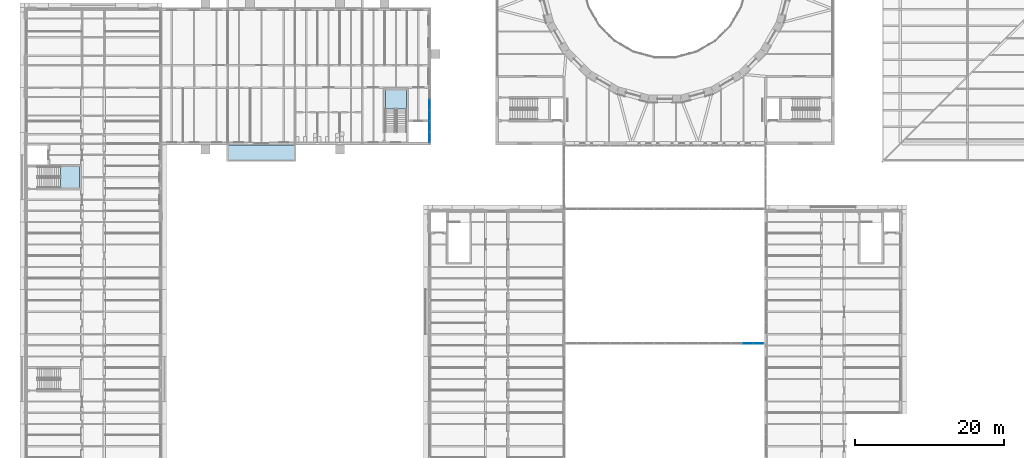
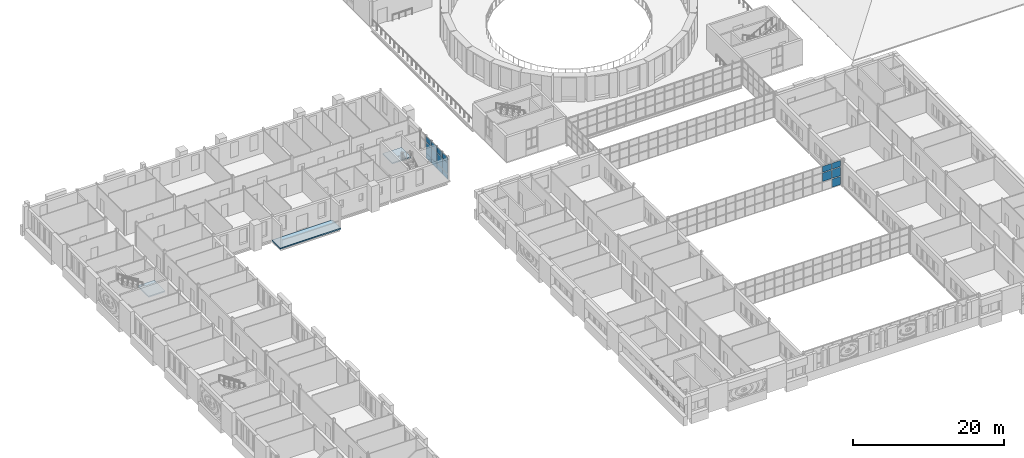
# One storey, part 91 of 154: 17 plates, 3 slabs, 4 elements without a shape of their own.
"""IFC4 building model written with IfcOpenShell, lengths in metres."""

import ifcopenshell
import ifcopenshell.guid

model = None  # the IFC model being written
_history = None  # IfcOwnerHistory: only IFC2X3 demands one
_inside = {}  # id of a spatial element -> (the spatial element, [elements in it])
_under = {}  # id of a project, library or spatial element -> (it, [spatial elements below it])
_declared = {}  # id of a project -> (the project, [libraries it declares])
_typed = {}  # id of a type object -> (the type object, [elements of that type])
_made_of = {}  # id of a material, layer set ... -> (it, [elements and type objects made of it])


def new_model(schema):
    """Start an empty IFC model of exactly this schema.

    Asked for "IFC4X3", IfcOpenShell would pick the latest addendum, in which some entities
    have other attributes; the version numbers below select the first issue.
    IFC2X3 requires an IfcOwnerHistory on every rooted entity: one is made here for all.
    """
    global model, _history
    if schema == "IFC4X3":
        model = ifcopenshell.file(schema_version=(4, 3, 0, 0))
    else:
        model = ifcopenshell.file(schema=schema)
    _inside.clear()
    _under.clear()
    _declared.clear()
    _typed.clear()
    _made_of.clear()
    _history = None
    if model.schema == "IFC2X3":
        org = make("IfcOrganization", Name="unknown")
        user = make(
            "IfcPersonAndOrganization",
            ThePerson=make("IfcPerson", FamilyName="unknown"),
            TheOrganization=org,
        )
        app = make(
            "IfcApplication",
            ApplicationDeveloper=org,
            Version="unknown",
            ApplicationFullName="unknown",
            ApplicationIdentifier="unknown",
        )
        _history = make(
            "IfcOwnerHistory",
            OwningUser=user,
            OwningApplication=app,
            ChangeAction="ADDED",
            CreationDate=0,
        )
    return model


def make(cls, **values):
    """One entity of the class cls with the attributes given. An attribute that is None is left unset."""
    return model.create_entity(
        cls, **{name: value for name, value in values.items() if value is not None}
    )


def rooted(cls, **values):
    """An entity with a GlobalId (a new one), such as an element, a storey or a relation."""
    return make(cls, GlobalId=ifcopenshell.guid.new(), OwnerHistory=_history, **values)


def si_unit(unit_type, name, prefix=None):
    """IfcSIUnit, for example si_unit("LENGTHUNIT", "METRE", prefix="MILLI")."""
    return make("IfcSIUnit", UnitType=unit_type, Prefix=prefix, Name=name)


def assignment(units):
    """IfcUnitAssignment: the units of a project."""
    return None if units is None else make("IfcUnitAssignment", Units=units)


def point(xyz):
    """IfcCartesianPoint."""
    return None if xyz is None else make("IfcCartesianPoint", Coordinates=xyz)


def direction(xyz):
    """IfcDirection."""
    return None if xyz is None else make("IfcDirection", DirectionRatios=xyz)


def frame(location, z_axis=None, x_axis=None):
    """IfcAxis2Placement3D, a coordinate frame: its origin and axes. An axis left out is left unset."""
    return make(
        "IfcAxis2Placement3D",
        Location=point(location),
        Axis=direction(z_axis),
        RefDirection=direction(x_axis),
    )


def frame_2d(location, x_axis=None):
    """IfcAxis2Placement2D, a coordinate frame in the plane: its origin and x axis."""
    return make(
        "IfcAxis2Placement2D", Location=point(location), RefDirection=direction(x_axis)
    )


def origin():
    """The frame at (0, 0, 0) with its axes left unset."""
    return frame((0.0, 0.0, 0.0))


def origin_2d():
    """The frame at (0, 0) in the plane with its x axis left unset."""
    return frame_2d((0.0, 0.0))


def place(relative_to, where):
    """IfcLocalPlacement: puts the frame where relative to a parent placement (None: the world)."""
    return make(
        "IfcLocalPlacement", PlacementRelTo=relative_to, RelativePlacement=where
    )


def context(
    kind, dimensions, precision=None, world=None, true_north=None, identifier=None
):
    """IfcGeometricRepresentationContext, for example the 3D "Model" context."""
    return make(
        "IfcGeometricRepresentationContext",
        ContextIdentifier=identifier,
        ContextType=kind,
        CoordinateSpaceDimension=dimensions,
        Precision=precision,
        WorldCoordinateSystem=world,
        TrueNorth=true_north,
    )


def subcontext(parent, identifier, kind, view, scale=None):
    """IfcGeometricRepresentationSubContext, for example "Body" below "Model"."""
    return make(
        "IfcGeometricRepresentationSubContext",
        ContextIdentifier=identifier,
        ContextType=kind,
        ParentContext=parent,
        TargetScale=scale,
        TargetView=view,
    )


def project(units=None, contexts=None):
    """IfcProject with its units and contexts."""
    return rooted(
        "IfcProject",
        Name="project",
        RepresentationContexts=contexts,
        UnitsInContext=assignment(units),
    )


def spatial(cls, under=None, at=None, **own):
    """A site, building, storey or space (cls), placed at a placement, below another one or the project."""
    s = rooted(cls, ObjectPlacement=at, **own)
    if under is not None:
        _under.setdefault(under.id(), (under, []))[1].append(s)
    return s


def polyline(points):
    """IfcPolyline through the points."""
    return make("IfcPolyline", Points=[point(p) for p in points])


def profile(cls, at=None, kind="AREA", **sizes):
    """A parametric profile (cls). Its sizes go by their IFC names, for example OverallWidth=200.0."""
    return make(cls, ProfileType=kind, Position=at, **sizes)


def rectangle(**sizes):
    """IfcRectangleProfileDef."""
    return profile("IfcRectangleProfileDef", **sizes)


def outline(outer, holes=None, kind="AREA"):
    """IfcArbitraryClosedProfileDef: a profile drawn as a closed curve; with holes, ...WithVoids."""
    if holes is None:
        return make("IfcArbitraryClosedProfileDef", ProfileType=kind, OuterCurve=outer)
    return make(
        "IfcArbitraryProfileDefWithVoids",
        ProfileType=kind,
        OuterCurve=outer,
        InnerCurves=holes,
    )


def extrude(swept, where, along, depth):
    """IfcExtrudedAreaSolid: the profile swept, set in the frame where, extruded along a direction by depth."""
    return make(
        "IfcExtrudedAreaSolid",
        SweptArea=swept,
        Position=where,
        ExtrudedDirection=direction(along),
        Depth=depth,
    )


def shape(context_of_items, identifier, shape_type, items):
    """IfcShapeRepresentation: the items that make up one representation, for example the "Body"."""
    return make(
        "IfcShapeRepresentation",
        ContextOfItems=context_of_items,
        RepresentationIdentifier=identifier,
        RepresentationType=shape_type,
        Items=items,
    )


def material(Name=None, Category=None):
    """IfcMaterial."""
    return make("IfcMaterial", Name=Name, Category=Category)


def layer(
    of_material, thickness, ventilated=None, Name=None, Category=None, Priority=None
):
    """IfcMaterialLayer: one layer of a wall or slab, of a material (None: an air gap)."""
    return make(
        "IfcMaterialLayer",
        Material=of_material,
        LayerThickness=thickness,
        IsVentilated=ventilated,
        Name=Name,
        Category=Category,
        Priority=Priority,
    )


def layer_set(layers, Name=None):
    """IfcMaterialLayerSet."""
    return make("IfcMaterialLayerSet", MaterialLayers=layers, LayerSetName=Name)


def made_of(thing, what):
    """Note that an element or type object is made of a material, layer set ...; save() writes the relation."""
    if what is not None:
        _made_of.setdefault(what.id(), (what, []))[1].append(thing)
    return thing


def type_object(cls, material=None, **own):
    """A type object (cls), such as IfcWallType, which elements share."""
    return made_of(rooted(cls, **own), material)


def element(
    cls,
    number,
    at=None,
    inside=None,
    cuts=None,
    type_object=None,
    material=None,
    context=None,
    identifier="Body",
    shape_type=None,
    held_by="IfcProductDefinitionShape",
    body=None,
    shapes=None,
    **own,
):
    """One element of the class cls, such as IfcWall. Its Tag is "e" and its number.

    at: its placement. inside: the storey or other place that contains it. cuts: it is an
    opening in that element (IfcRelVoidsElement). A single representation is given by context,
    identifier, shape_type and body (its items); several are given by shapes. held_by: the class
    of the entity that holds the representations. save() writes the other relations.
    """
    e = rooted(cls, Tag="e%d" % number, ObjectPlacement=at, **own)
    if body is not None:
        shapes = [shape(context, identifier, shape_type, body)]
    if shapes is not None:
        e.Representation = make(held_by, Representations=shapes)
    if inside is not None:
        _inside.setdefault(inside.id(), (inside, []))[1].append(e)
    if cuts is not None:
        rooted(
            "IfcRelVoidsElement", RelatingBuildingElement=cuts, RelatedOpeningElement=e
        )
    if type_object is not None:
        _typed.setdefault(type_object.id(), (type_object, []))[1].append(e)
    return made_of(e, material)


def aggregate(whole, parts):
    """IfcRelAggregates: a whole, such as a stair, and the parts it consists of."""
    return rooted("IfcRelAggregates", RelatingObject=whole, RelatedObjects=parts)


def save(model, path):
    """Write the relations noted so far, then the file.

    IfcRelAggregates (storeys below a building ...), IfcRelContainedInSpatialStructure (elements
    in a storey), IfcRelDefinesByType, IfcRelAssociatesMaterial and IfcRelDeclares: one each for
    every whole, place, type object, material and project.
    """
    for whole, parts in _under.values():
        aggregate(whole, parts)
    for where, things in _inside.values():
        rooted(
            "IfcRelContainedInSpatialStructure",
            RelatedElements=things,
            RelatingStructure=where,
        )
    for kind, things in _typed.values():
        rooted("IfcRelDefinesByType", RelatedObjects=things, RelatingType=kind)
    for what, things in _made_of.values():
        rooted("IfcRelAssociatesMaterial", RelatedObjects=things, RelatingMaterial=what)
    for by, libraries in _declared.values():
        rooted("IfcRelDeclares", RelatingContext=by, RelatedDefinitions=libraries)
    model.write(path)


model = new_model("IFC4")

# Units and contexts
model_context = context("Model", 3, precision=1e-05, world=origin(), true_north=direction((0.0, 1.0)))
body_context = subcontext(model_context, "Body", "Model", "MODEL_VIEW")
ifc_project = project(units=[si_unit("LENGTHUNIT", "METRE"), si_unit("AREAUNIT", "SQUARE_METRE"), si_unit("VOLUMEUNIT", "CUBIC_METRE"), si_unit("PLANEANGLEUNIT", "RADIAN"), si_unit("MASSUNIT", "GRAM", prefix="KILO")], contexts=[model_context])

# Site, building, storey
site_placement = place(None, origin())
site = spatial("IfcSite", under=ifc_project, at=site_placement, CompositionType="ELEMENT")
building_placement = place(site_placement, origin())
building = spatial("IfcBuilding", under=site, at=building_placement, Name="Golden Quay Civic Hall", CompositionType="ELEMENT")
storey_placement = place(building_placement, frame((0.0, 0.0, 14.39990234375)))
storey = spatial("IfcBuildingStorey", under=building, at=storey_placement, Name="L03", CompositionType="ELEMENT", Elevation=14.39990234375)

# Stair, slab
ifc_material_1 = material(Name="Concrete C35/45", Category="concrete")
stair_type = type_object("IfcStairType", Name="Concrete stair 1350 wide 24 risers of 175.0", PredefinedType="HALF_TURN_STAIR", material=ifc_material_1)
stair_1_placement = place(storey_placement, origin())
stair_1 = element("IfcStair", 1, at=stair_1_placement, inside=storey, type_object=stair_type, Name="L03 Stair WO-N", PredefinedType="HALF_TURN_STAIR")
ifc_material_2 = material(Name="Concrete C35/45", Category="concrete")
ifc_layer_1 = layer(ifc_material_2, 0.199951171875)
ifc_layer_set_1 = layer_set([ifc_layer_1], Name="Concrete stair landing 200, Concrete C35/45")
slab_type_1 = type_object("IfcSlabType", Name="Concrete stair landing 200", PredefinedType="LANDING", material=ifc_layer_set_1)
slab_1_placement = place(storey_placement, frame((0.0, 0.0, 1.900146484375)))
slab_1 = element("IfcSlab", 2, at=slab_1_placement, type_object=slab_type_1, Name="WO-N landing 1", PredefinedType="LANDING", context=body_context, shape_type="SweptSolid", body=[
    extrude(outline(polyline([(4.6298828125, 57.074951171875), (7.175048828125, 57.074951171875), (7.175048828125, 59.925048828125), (4.6298828125, 59.925048828125), (4.6298828125, 57.074951171875)])), origin(), (0.0, 0.0, 1.0), 0.199951171875),
])
aggregate(stair_1, [slab_1])

stair_2_placement = place(storey_placement, origin())
stair_2 = element("IfcStair", 3, at=stair_2_placement, inside=storey, type_object=stair_type, Name="L03 Stair NW-E", PredefinedType="HALF_TURN_STAIR")
slab_2_placement = place(storey_placement, frame((0.0, 0.0, 1.900146484375)))
slab_2 = element("IfcSlab", 4, at=slab_2_placement, type_object=slab_type_1, Name="NW-E landing 1", PredefinedType="LANDING", context=body_context, shape_type="SweptSolid", body=[
    extrude(outline(polyline([(50.925048828125, 67.6298828125), (50.925048828125, 70.175048828125), (48.074951171875, 70.175048828125), (48.074951171875, 67.6298828125), (50.925048828125, 67.6298828125)])), origin(), (0.0, 0.0, 1.0), 0.199951171875),
])
aggregate(stair_2, [slab_2])

# Curtain wall, plates
ifc_material_3 = material(Name="Glass, laminated double glazed", Category="glass")
ifc_layer_2 = layer(ifc_material_3, 0.199951171875)
ifc_layer_set_2 = layer_set([ifc_layer_2], Name="Glazed core strip curtain wall")
curtain_wall_type_1 = type_object("IfcCurtainWallType", Name="Glazed core strip curtain wall", PredefinedType="NOTDEFINED", material=ifc_layer_set_2)
curtain_wall_1_placement = place(storey_placement, origin())
curtain_wall_1 = element("IfcCurtainWall", 5, at=curtain_wall_1_placement, inside=storey, type_object=curtain_wall_type_1, Name="Glazed core strip curtain wall L03 2", PredefinedType="NOTDEFINED")
ifc_material_4 = material(Name="Glass, laminated double glazed", Category="glass")
ifc_layer_3 = layer(ifc_material_4, 0.028076171875)
ifc_layer_set_3 = layer_set([ifc_layer_3], Name="Double glazed curtain wall panel 28")
plate_type_1 = type_object("IfcPlateType", Name="Double glazed curtain wall panel 28", PredefinedType="CURTAIN_PANEL", material=ifc_layer_set_3)
plate_1_placement = place(storey_placement, frame((54.0, 68.2041015625, 0.06005859375), z_axis=(0.0, 0.0, 1.0), x_axis=(0.0, -1.0, 0.0)))
plate_1 = element("IfcPlate", 6, at=plate_1_placement, type_object=plate_type_1, Name="CW2 panel 2.1", PredefinedType="CURTAIN_PANEL", context=body_context, shape_type="SweptSolid", body=[
    extrude(rectangle(XDim=1.39404296875, YDim=0.028076171875, at=origin_2d()), origin(), (0.0, 0.0, 1.0), 0.81005859375),
])
plate_2_placement = place(storey_placement, frame((54.0, 68.2041015625, 0.93017578125), z_axis=(0.0, 0.0, 1.0), x_axis=(0.0, -1.0, 0.0)))
plate_2 = element("IfcPlate", 7, at=plate_2_placement, type_object=plate_type_1, Name="CW2 panel 2.2", PredefinedType="CURTAIN_PANEL", context=body_context, shape_type="SweptSolid", body=[
    extrude(rectangle(XDim=1.39404296875, YDim=0.028076171875, at=origin_2d()), origin(), (0.0, 0.0, 1.0), 1.739990234375),
])
plate_3_placement = place(storey_placement, frame((54.0, 68.2041015625, 2.730224609375), z_axis=(0.0, 0.0, 1.0), x_axis=(0.0, -1.0, 0.0)))
plate_3 = element("IfcPlate", 8, at=plate_3_placement, type_object=plate_type_1, Name="CW2 panel 2.3", PredefinedType="CURTAIN_PANEL", context=body_context, shape_type="SweptSolid", body=[
    extrude(rectangle(XDim=1.39404296875, YDim=0.028076171875, at=origin_2d()), origin(), (0.0, 0.0, 1.0), 0.8798828125),
])
plate_4_placement = place(storey_placement, frame((54.0, 66.75, 0.06005859375), z_axis=(0.0, 0.0, 1.0), x_axis=(0.0, -1.0, 0.0)))
plate_4 = element("IfcPlate", 9, at=plate_4_placement, type_object=plate_type_1, Name="CW2 panel 3.1", PredefinedType="CURTAIN_PANEL", context=body_context, shape_type="SweptSolid", body=[
    extrude(rectangle(XDim=1.39404296875, YDim=0.028076171875, at=origin_2d()), origin(), (0.0, 0.0, 1.0), 0.81005859375),
])
plate_5_placement = place(storey_placement, frame((54.0, 66.75, 0.93017578125), z_axis=(0.0, 0.0, 1.0), x_axis=(0.0, -1.0, 0.0)))
plate_5 = element("IfcPlate", 10, at=plate_5_placement, type_object=plate_type_1, Name="CW2 panel 3.2", PredefinedType="CURTAIN_PANEL", context=body_context, shape_type="SweptSolid", body=[
    extrude(rectangle(XDim=1.39404296875, YDim=0.028076171875, at=origin_2d()), origin(), (0.0, 0.0, 1.0), 1.739990234375),
])
plate_6_placement = place(storey_placement, frame((54.0, 66.75, 2.730224609375), z_axis=(0.0, 0.0, 1.0), x_axis=(0.0, -1.0, 0.0)))
plate_6 = element("IfcPlate", 11, at=plate_6_placement, type_object=plate_type_1, Name="CW2 panel 3.3", PredefinedType="CURTAIN_PANEL", context=body_context, shape_type="SweptSolid", body=[
    extrude(rectangle(XDim=1.39404296875, YDim=0.028076171875, at=origin_2d()), origin(), (0.0, 0.0, 1.0), 0.8798828125),
])
plate_7_placement = place(storey_placement, frame((54.0, 65.2958984375, 0.06005859375), z_axis=(0.0, 0.0, 1.0), x_axis=(0.0, -1.0, 0.0)))
plate_7 = element("IfcPlate", 12, at=plate_7_placement, type_object=plate_type_1, Name="CW2 panel 4.1", PredefinedType="CURTAIN_PANEL", context=body_context, shape_type="SweptSolid", body=[
    extrude(rectangle(XDim=1.39404296875, YDim=0.028076171875, at=origin_2d()), origin(), (0.0, 0.0, 1.0), 0.81005859375),
])
plate_8_placement = place(storey_placement, frame((54.0, 65.2958984375, 0.93017578125), z_axis=(0.0, 0.0, 1.0), x_axis=(0.0, -1.0, 0.0)))
plate_8 = element("IfcPlate", 13, at=plate_8_placement, type_object=plate_type_1, Name="CW2 panel 4.2", PredefinedType="CURTAIN_PANEL", context=body_context, shape_type="SweptSolid", body=[
    extrude(rectangle(XDim=1.39404296875, YDim=0.028076171875, at=origin_2d()), origin(), (0.0, 0.0, 1.0), 1.739990234375),
])
plate_9_placement = place(storey_placement, frame((54.0, 65.2958984375, 2.730224609375), z_axis=(0.0, 0.0, 1.0), x_axis=(0.0, -1.0, 0.0)))
plate_9 = element("IfcPlate", 14, at=plate_9_placement, type_object=plate_type_1, Name="CW2 panel 4.3", PredefinedType="CURTAIN_PANEL", context=body_context, shape_type="SweptSolid", body=[
    extrude(rectangle(XDim=1.39404296875, YDim=0.028076171875, at=origin_2d()), origin(), (0.0, 0.0, 1.0), 0.8798828125),
])
plate_10_placement = place(storey_placement, frame((54.0, 63.85693359375, 0.06005859375), z_axis=(0.0, 0.0, 1.0), x_axis=(0.0, -1.0, 0.0)))
plate_10 = element("IfcPlate", 15, at=plate_10_placement, type_object=plate_type_1, Name="CW2 panel 5.1", PredefinedType="CURTAIN_PANEL", context=body_context, shape_type="SweptSolid", body=[
    extrude(rectangle(XDim=1.364013671875, YDim=0.028076171875, at=origin_2d()), origin(), (0.0, 0.0, 1.0), 0.81005859375),
])
plate_11_placement = place(storey_placement, frame((54.0, 63.85693359375, 0.93017578125), z_axis=(0.0, 0.0, 1.0), x_axis=(0.0, -1.0, 0.0)))
plate_11 = element("IfcPlate", 16, at=plate_11_placement, type_object=plate_type_1, Name="CW2 panel 5.2", PredefinedType="CURTAIN_PANEL", context=body_context, shape_type="SweptSolid", body=[
    extrude(rectangle(XDim=1.364013671875, YDim=0.028076171875, at=origin_2d()), origin(), (0.0, 0.0, 1.0), 1.739990234375),
])
plate_12_placement = place(storey_placement, frame((54.0, 63.85693359375, 2.730224609375), z_axis=(0.0, 0.0, 1.0), x_axis=(0.0, -1.0, 0.0)))
plate_12 = element("IfcPlate", 17, at=plate_12_placement, type_object=plate_type_1, Name="CW2 panel 5.3", PredefinedType="CURTAIN_PANEL", context=body_context, shape_type="SweptSolid", body=[
    extrude(rectangle(XDim=1.364013671875, YDim=0.028076171875, at=origin_2d()), origin(), (0.0, 0.0, 1.0), 0.8798828125),
])
aggregate(curtain_wall_1, [plate_1, plate_2, plate_3, plate_4, plate_5, plate_6, plate_7, plate_8, plate_9, plate_10, plate_11, plate_12])

ifc_material_5 = material(Name="Fire-resisting glass and steel", Category="steel")
curtain_wall_type_2 = type_object("IfcCurtainWallType", Name="Fire-resisting glazed curtain wall EI 120", PredefinedType="NOTDEFINED", material=ifc_material_5)
curtain_wall_2_placement = place(storey_placement, origin())
curtain_wall_2 = element("IfcCurtainWall", 18, at=curtain_wall_2_placement, inside=storey, type_object=curtain_wall_type_2, Name="CW3 curtain wall", PredefinedType="NOTDEFINED")
ifc_material_6 = material(Name="Fire-resisting laminated glass", Category="glass")
ifc_layer_4 = layer(ifc_material_6, 0.0400390625)
ifc_layer_set_4 = layer_set([ifc_layer_4], Name="Fire-resisting glazed panel 40")
plate_type_2 = type_object("IfcPlateType", Name="Fire-resisting glazed panel 40", PredefinedType="CURTAIN_PANEL", material=ifc_layer_set_4)
plate_13_placement = place(storey_placement, frame((96.583251953125, 36.27001953125, 1.360107421875), z_axis=(0.0, 0.0, 1.0), x_axis=(1.0, 0.0, 0.0)))
plate_13 = element("IfcPlate", 19, at=plate_13_placement, type_object=plate_type_2, Name="CW3 panel 17.2", PredefinedType="CURTAIN_PANEL", context=body_context, shape_type="SweptSolid", body=[
    extrude(rectangle(XDim=1.357666015625, YDim=0.0400390625, at=origin_2d()), origin(), (0.0, 0.0, 1.0), 1.3798828125),
])
plate_14_placement = place(storey_placement, frame((96.583251953125, 36.27001953125, 2.8603515625), z_axis=(0.0, 0.0, 1.0), x_axis=(1.0, 0.0, 0.0)))
plate_14 = element("IfcPlate", 20, at=plate_14_placement, type_object=plate_type_2, Name="CW3 panel 17.3", PredefinedType="CURTAIN_PANEL", context=body_context, shape_type="SweptSolid", body=[
    extrude(rectangle(XDim=1.357666015625, YDim=0.0400390625, at=origin_2d()), origin(), (0.0, 0.0, 1.0), 0.969970703125),
])
plate_15_placement = place(storey_placement, frame((98.031005859375, 36.27001953125, -0.080078125), z_axis=(0.0, 0.0, 1.0), x_axis=(1.0, 0.0, 0.0)))
plate_15 = element("IfcPlate", 21, at=plate_15_placement, type_object=plate_type_2, Name="CW3 panel 18.1", PredefinedType="CURTAIN_PANEL", context=body_context, shape_type="SweptSolid", body=[
    extrude(rectangle(XDim=1.2978515625, YDim=0.0400390625, at=origin_2d()), origin(), (0.0, 0.0, 1.0), 1.320068359375),
])
plate_16_placement = place(storey_placement, frame((98.031005859375, 36.27001953125, 1.360107421875), z_axis=(0.0, 0.0, 1.0), x_axis=(1.0, 0.0, 0.0)))
plate_16 = element("IfcPlate", 22, at=plate_16_placement, type_object=plate_type_2, Name="CW3 panel 18.2", PredefinedType="CURTAIN_PANEL", context=body_context, shape_type="SweptSolid", body=[
    extrude(rectangle(XDim=1.2978515625, YDim=0.0400390625, at=origin_2d()), origin(), (0.0, 0.0, 1.0), 1.3798828125),
])
plate_17_placement = place(storey_placement, frame((98.031005859375, 36.27001953125, 2.8603515625), z_axis=(0.0, 0.0, 1.0), x_axis=(1.0, 0.0, 0.0)))
plate_17 = element("IfcPlate", 23, at=plate_17_placement, type_object=plate_type_2, Name="CW3 panel 18.3", PredefinedType="CURTAIN_PANEL", context=body_context, shape_type="SweptSolid", body=[
    extrude(rectangle(XDim=1.2978515625, YDim=0.0400390625, at=origin_2d()), origin(), (0.0, 0.0, 1.0), 0.969970703125),
])
aggregate(curtain_wall_2, [plate_13, plate_14, plate_15, plate_16, plate_17])

# Slab
ifc_material_7 = material(Name="Concrete C35/45", Category="concrete")
ifc_layer_5 = layer(ifc_material_7, 0.199951171875)
ifc_layer_set_5 = layer_set([ifc_layer_5], Name="Loggia deck 200")
slab_type_2 = type_object("IfcSlabType", Name="Loggia deck 200", PredefinedType="FLOOR", material=ifc_layer_set_5)
slab_3_placement = place(storey_placement, frame((0.0, 0.0, -0.199951171875)))
element("IfcSlab", 24, at=slab_3_placement, inside=storey, type_object=slab_type_2, Name="Loggia deck 200 L03 1", PredefinedType="FLOOR", context=body_context, shape_type="SweptSolid", body=[
    extrude(outline(polyline([(26.85009765625, 62.800048828125), (36.14990234375, 62.800048828125), (36.14990234375, 60.60009765625), (26.85009765625, 60.60009765625), (26.85009765625, 62.800048828125)])), origin(), (0.0, 0.0, 1.0), 0.199951171875),
])

save(model, "model.ifc")
